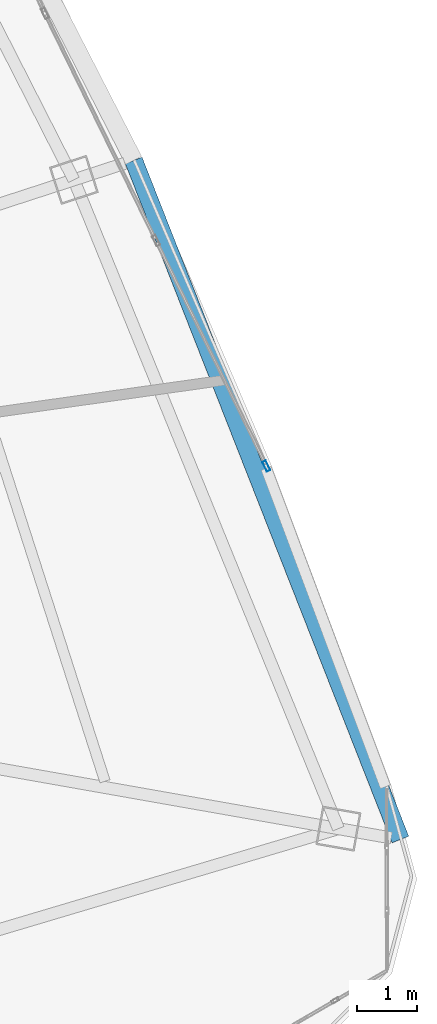
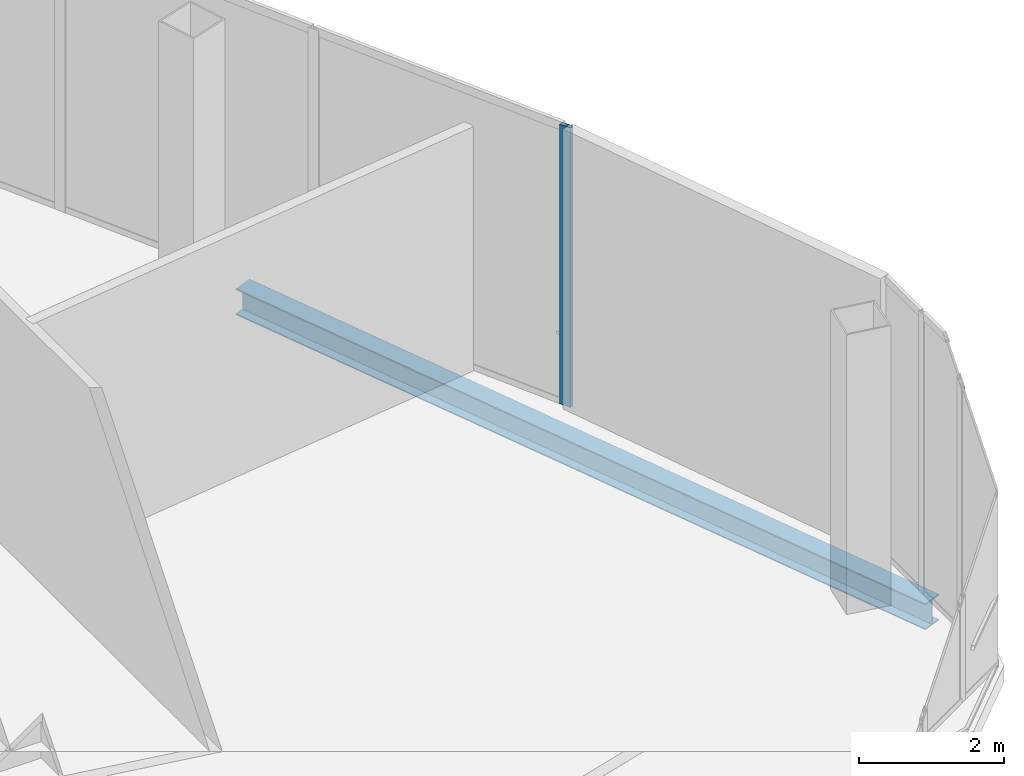
# One storey, part 18 of 32: 1 beam, 1 member, 1 element without a shape of its own.
"""IFC4 building model written with IfcOpenShell, lengths in metres."""

from ifc_helpers import new_model, si_unit, direction, frame, origin, origin_2d, place, context, subcontext, project, spatial, hollow_rectangle, i_section, extrude, source, transform, mapped, material, layer, layer_set, material_profile, profile_set, type_object, element, aggregate, save


model = new_model("IFC4")

# Units and contexts
model_context = context("Model", 3, precision=1e-05, world=origin(), true_north=direction((0.0, 1.0)))
body_context = subcontext(model_context, "Body", "Model", "MODEL_VIEW")
ifc_project = project(units=[si_unit("LENGTHUNIT", "METRE"), si_unit("AREAUNIT", "SQUARE_METRE"), si_unit("VOLUMEUNIT", "CUBIC_METRE"), si_unit("PLANEANGLEUNIT", "RADIAN"), si_unit("MASSUNIT", "GRAM", prefix="KILO"), si_unit("THERMODYNAMICTEMPERATUREUNIT", "KELVIN"), si_unit("POWERUNIT", "WATT")], contexts=[model_context])

# Site, building, storey
site_placement = place(None, origin())
site = spatial("IfcSite", under=ifc_project, at=site_placement, CompositionType="ELEMENT")
building_placement = place(site_placement, origin())
building = spatial("IfcBuilding", under=site, at=building_placement, Name="Yunzhuo Pagoda Commons", CompositionType="ELEMENT")
storey_placement = place(building_placement, frame((0.0, 0.0, 396.760009765625)))
storey = spatial("IfcBuildingStorey", under=building, at=storey_placement, Name="L98", CompositionType="ELEMENT", Elevation=396.760009765625)

# Beam
ifc_material_1 = material(Name="Structural steel Q355B", Category="steel")
ifc_material_profile_1 = material_profile(ifc_material_1, i_section(OverallWidth=0.300048828125, OverallDepth=0.43994140625, WebThickness=0.010986328125, FlangeThickness=0.01806640625, at=origin_2d()), Name="Structural steel Q355B")
ifc_profile_set_1 = profile_set([ifc_material_profile_1], Name="Structural steel Q355B")
beam_type = type_object("IfcBeamType", Name="B-SP2 Beam HM 440x300x11x18", PredefinedType="BEAM", material=ifc_profile_set_1)
shared_shape_1 = source(origin(), body_context, "Body", "SweptSolid", [
    extrude(i_section(OverallWidth=0.300048828125, OverallDepth=0.43994140625, WebThickness=0.010986328125, FlangeThickness=0.01806640625, at=origin_2d()), origin(), (0.0, 0.0, 1.0), 12.18017578125),
])
beam_placement = place(storey_placement, frame((73.504150390625, 29.202880859375, -0.5), z_axis=(-0.365522138301, 0.930802646328, 0.0), x_axis=(-0.930802646328, -0.365522138301, 0.0)))
element("IfcBeam", 1, at=beam_placement, inside=storey, type_object=beam_type, Name="L98 facade edge spandrel beam F2.1", PredefinedType="BEAM", context=body_context, shape_type="MappedRepresentation", body=[
    mapped(shared_shape_1, transform((0.0, 0.0, 0.0), scale=1.0)),
])

# Curtain wall, member
ifc_material_2 = material(Name="Anodized aluminium 6063-T6", Category="aluminium")
ifc_layer = layer(ifc_material_2, 0.179931640625)
ifc_layer_set = layer_set([ifc_layer], Name="Anodized aluminium 6063-T6")
curtain_wall_type = type_object("IfcCurtainWallType", Name="CW-CRN Crown Gable Glazing System", PredefinedType="NOTDEFINED", material=ifc_layer_set)
curtain_wall_placement = place(storey_placement, origin())
curtain_wall = element("IfcCurtainWall", 2, at=curtain_wall_placement, inside=storey, type_object=curtain_wall_type, Name="L98 curtain wall CW-L98-CRNF2G1", PredefinedType="NOTDEFINED")
ifc_material_profile_2 = material_profile(ifc_material_2, hollow_rectangle(XDim=0.06494140625, YDim=0.179931640625, WallThickness=0.00390625, at=origin_2d()), Name="Anodized aluminium 6063-T6")
ifc_profile_set_2 = profile_set([ifc_material_profile_2], Name="Anodized aluminium 6063-T6")
member_type = type_object("IfcMemberType", Name="CW-CRN-M Mullion RHS 180x65x4", PredefinedType="MULLION", material=ifc_profile_set_2)
shared_shape_2 = source(origin(), body_context, "Body", "SweptSolid", [
    extrude(hollow_rectangle(XDim=0.06494140625, YDim=0.179931640625, WallThickness=0.00390625, at=origin_2d()), origin(), (0.0, 0.0, 1.0), 4.72021484375),
])
member_placement = place(storey_placement, frame((71.266845703125, 35.4384765625, 0.0), z_axis=(0.0, 0.0, 1.0), x_axis=(-0.898299261226, -0.439384156839, 0.0)))
member = element("IfcMember", 3, at=member_placement, type_object=member_type, Name="CW mullion 1", PredefinedType="MULLION", context=body_context, shape_type="MappedRepresentation", body=[
    mapped(shared_shape_2, transform((0.0, 0.0, 0.0), scale=1.0)),
])
aggregate(curtain_wall, [member])

save(model, "model.ifc")
